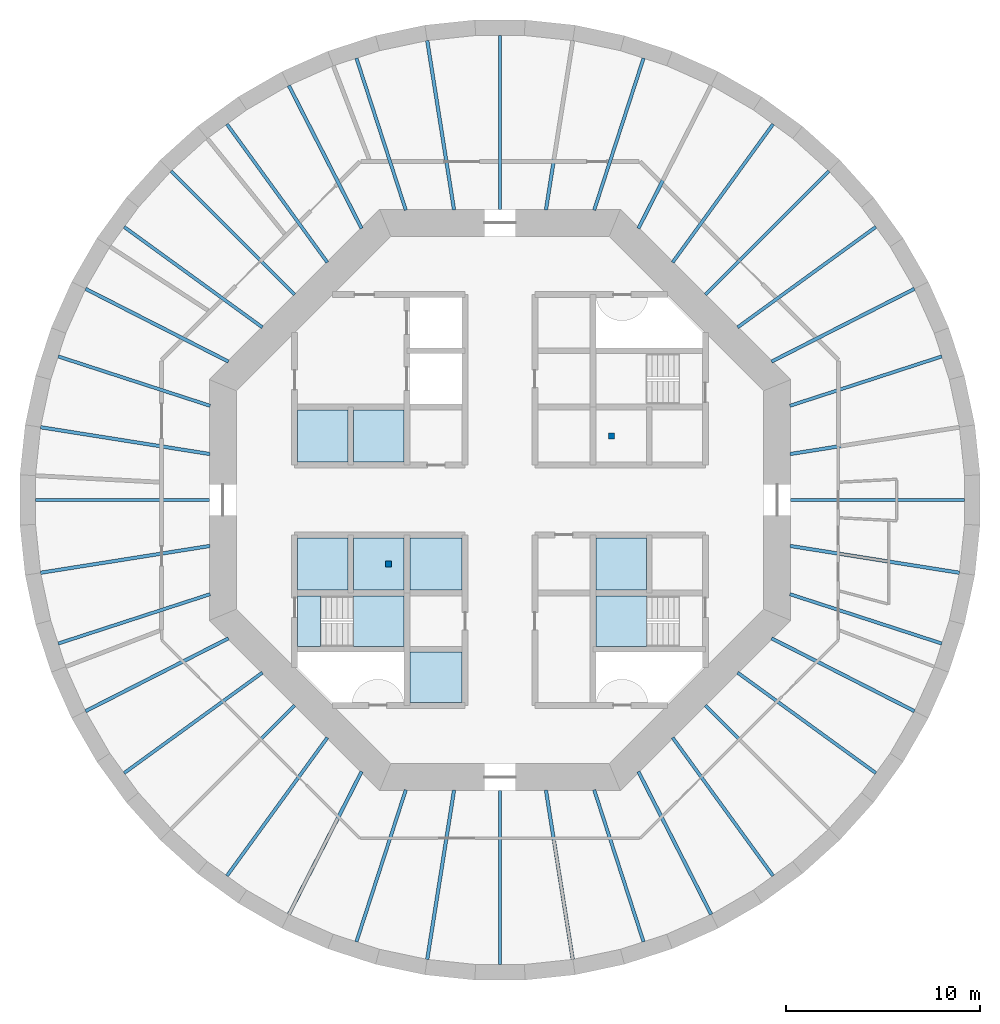
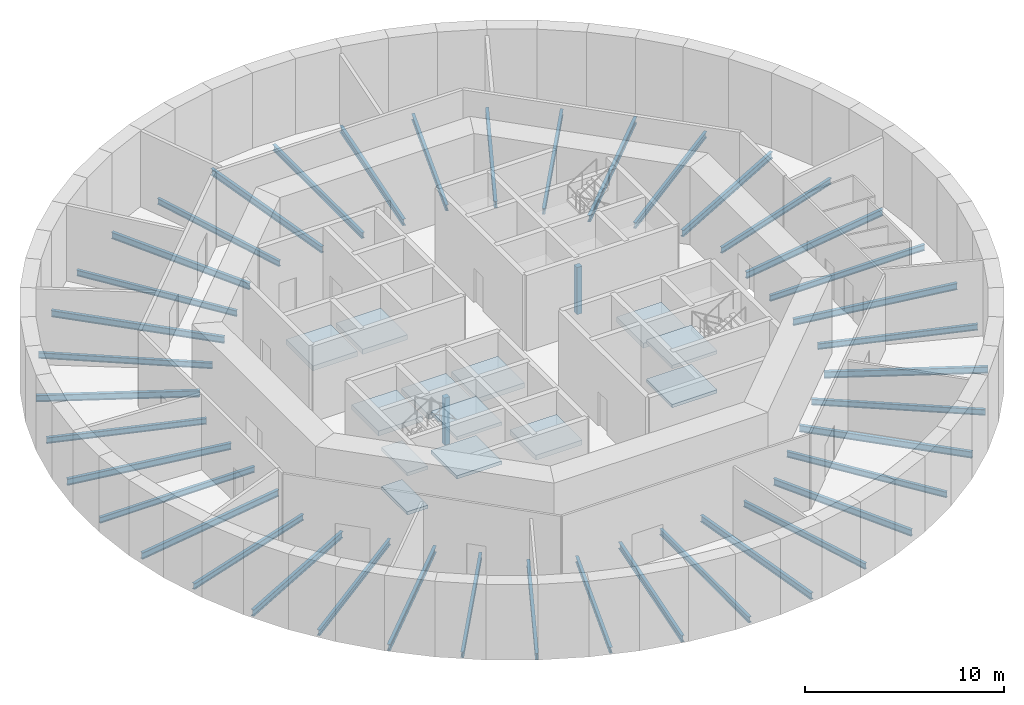
# One storey, part 1 of 7: 40 beams, 13 slabs, 2 columns, 2 elements without a shape of their own.
"""IFC4 building model written with IfcOpenShell, lengths in metres."""

from ifc_helpers import new_model, si_unit, direction, frame, origin, origin_2d, place, context, subcontext, project, spatial, polyline, rectangle, i_section, outline, extrude, material, layer, layer_set, material_profile, profile_set, type_object, element, aggregate, save


model = new_model("IFC4")

# Units and contexts
model_context = context("Model", 3, precision=1e-05, world=origin(), true_north=direction((0.0, 1.0)))
body_context = subcontext(model_context, "Body", "Model", "MODEL_VIEW")
ifc_project = project(units=[si_unit("LENGTHUNIT", "METRE"), si_unit("AREAUNIT", "SQUARE_METRE"), si_unit("VOLUMEUNIT", "CUBIC_METRE"), si_unit("PLANEANGLEUNIT", "RADIAN"), si_unit("MASSUNIT", "GRAM", prefix="KILO")], contexts=[model_context])

# Site, building, storey
site_placement = place(None, origin())
site = spatial("IfcSite", under=ifc_project, at=site_placement, CompositionType="ELEMENT")
building_placement = place(site_placement, origin())
building = spatial("IfcBuilding", under=site, at=building_placement, Name="Entoto Ring Tower", CompositionType="ELEMENT")
storey_placement = place(building_placement, frame((0.0, 0.0, -4.800048828125)))
storey = spatial("IfcBuildingStorey", under=building, at=storey_placement, Name="B1", CompositionType="ELEMENT", Elevation=-4.800048828125)

# Columns
ifc_material_1 = material(Name="Concrete C40/50", Category="concrete")
ifc_material_profile_1 = material_profile(ifc_material_1, rectangle(XDim=0.300048828125, YDim=0.300048828125, at=origin_2d()), Name="Lift pit pier 300 x 300 reinforced concrete C40/50")
ifc_profile_set_1 = profile_set([ifc_material_profile_1], Name="Concrete C40/50")
column_type = type_object("IfcColumnType", Name="Lift pit pier 300 x 300 reinforced concrete C40/50", PredefinedType="COLUMN", material=ifc_profile_set_1)
for number, where, z_axis, x_axis, name in (
    (1, (95.75, 83.300048828125, 0.0), (0.0, 0.0, 1.0), (1.0, 0.0, 0.0), "PIT PIER LB1-LR"),
    (2, (84.25, 76.699951171875, 0.0), (0.0, 0.0, 1.0), (1.0, 0.0, 0.0), "PIT PIER LB6-LR"),
):
    element("IfcColumn", number, at=place(storey_placement, frame(where, z_axis=z_axis, x_axis=x_axis)), inside=storey, type_object=column_type, Name=name, PredefinedType="COLUMN", context=body_context, shape_type="SweptSolid", body=[
        extrude(rectangle(XDim=0.300048828125, YDim=0.300048828125, at=origin_2d()), origin(), (0.0, 0.0, 1.0), 2.900146484375),
    ])

# Beams
ifc_material_2 = material(Name="Steel S355", Category="steel")
ifc_material_profile_2 = material_profile(ifc_material_2, i_section(OverallWidth=0.179931640625, OverallDepth=0.39990234375, WebThickness=0.008544921875, FlangeThickness=0.013427734375, FilletRadius=0.02099609375, at=origin_2d()), Name="IPE 400")
ifc_profile_set_2 = profile_set([ifc_material_profile_2], Name="Steel S355")
beam_type_1 = type_object("IfcBeamType", Name="Primary floor beam IPE 400", PredefinedType="BEAM", material=ifc_profile_set_2)
beam_1_placement = place(storey_placement, frame((104.966064453125, 82.370361328125, -0.349853515625), z_axis=(0.987688571989, 0.156433004068, 0.0), x_axis=(-0.156433004068, 0.987688571989, 0.0)))
element("IfcBeam", 3, at=beam_1_placement, inside=storey, type_object=beam_type_1, Name="Primary B1 R01", PredefinedType="BEAM", context=body_context, shape_type="SweptSolid", body=[
    extrude(i_section(OverallWidth=0.179931640625, OverallDepth=0.39990234375, WebThickness=0.008544921875, FlangeThickness=0.013427734375, FilletRadius=0.02099609375, at=origin_2d()), origin(), (0.0, 0.0, 1.0), 8.847412109375),
])
beam_2_placement = place(storey_placement, frame((104.009033203125, 87.137939453125, -0.349853515625), z_axis=(0.891009558245, 0.45398454502, 0.0), x_axis=(-0.45398454502, 0.891009558245, 0.0)))
element("IfcBeam", 4, at=beam_2_placement, inside=storey, type_object=beam_type_1, Name="Primary B1 R02", PredefinedType="BEAM", context=body_context, shape_type="SweptSolid", body=[
    extrude(i_section(OverallWidth=0.179931640625, OverallDepth=0.39990234375, WebThickness=0.008544921875, FlangeThickness=0.013427734375, FilletRadius=0.02099609375, at=origin_2d()), origin(), (0.0, 0.0, 1.0), 8.27734375),
])
beam_3_placement = place(storey_placement, frame((100.592529296875, 90.592529296875, -0.349853515625), z_axis=(0.707106781187, 0.707106781187, 0.0), x_axis=(-0.707106781187, 0.707106781187, 0.0)))
element("IfcBeam", 5, at=beam_3_placement, inside=storey, type_object=beam_type_1, Name="Primary B1 R03", PredefinedType="BEAM", context=body_context, shape_type="SweptSolid", body=[
    extrude(i_section(OverallWidth=0.179931640625, OverallDepth=0.39990234375, WebThickness=0.008544921875, FlangeThickness=0.013427734375, FilletRadius=0.02099609375, at=origin_2d()), origin(), (0.0, 0.0, 1.0), 9.019775390625),
])
beam_4_placement = place(storey_placement, frame((97.137939453125, 94.009033203125, -0.349853515625), z_axis=(0.45398454502, 0.891009558245, 0.0), x_axis=(-0.891009558245, 0.45398454502, 0.0)))
element("IfcBeam", 6, at=beam_4_placement, inside=storey, type_object=beam_type_1, Name="Primary B1 R04", PredefinedType="BEAM", context=body_context, shape_type="SweptSolid", body=[
    extrude(i_section(OverallWidth=0.179931640625, OverallDepth=0.39990234375, WebThickness=0.008544921875, FlangeThickness=0.013427734375, FilletRadius=0.02099609375, at=origin_2d()), origin(), (0.0, 0.0, 1.0), 8.27734375),
])
for number, where, z_axis, x_axis, name in (
    (7, (92.370361328125, 94.966064453125, -0.349853515625), (0.156433004068, 0.987688571989, 0.0), (-0.987688571989, 0.156433004068, 0.0), "Primary B1 R05"),
    (8, (87.629638671875, 94.966064453125, -0.349853515625), (-0.156433004068, 0.987688571989, 0.0), (-0.987688571989, -0.156433004068, 0.0), "Primary B1 R06"),
):
    element("IfcBeam", number, at=place(storey_placement, frame(where, z_axis=z_axis, x_axis=x_axis)), inside=storey, type_object=beam_type_1, Name=name, PredefinedType="BEAM", context=body_context, shape_type="SweptSolid", body=[
        extrude(i_section(OverallWidth=0.179931640625, OverallDepth=0.39990234375, WebThickness=0.008544921875, FlangeThickness=0.013427734375, FilletRadius=0.02099609375, at=origin_2d()), origin(), (0.0, 0.0, 1.0), 8.847412109375),
    ])
beam_5_placement = place(storey_placement, frame((82.862060546875, 94.009033203125, -0.349853515625), z_axis=(-0.45398454502, 0.891009558245, 0.0), x_axis=(-0.891009558245, -0.45398454502, 0.0)))
element("IfcBeam", 9, at=beam_5_placement, inside=storey, type_object=beam_type_1, Name="Primary B1 R07", PredefinedType="BEAM", context=body_context, shape_type="SweptSolid", body=[
    extrude(i_section(OverallWidth=0.179931640625, OverallDepth=0.39990234375, WebThickness=0.008544921875, FlangeThickness=0.013427734375, FilletRadius=0.02099609375, at=origin_2d()), origin(), (0.0, 0.0, 1.0), 8.27734375),
])
beam_6_placement = place(storey_placement, frame((79.407470703125, 90.592529296875, -0.349853515625), z_axis=(-0.707106781187, 0.707106781187, 0.0), x_axis=(-0.707106781187, -0.707106781187, 0.0)))
element("IfcBeam", 10, at=beam_6_placement, inside=storey, type_object=beam_type_1, Name="Primary B1 R08", PredefinedType="BEAM", context=body_context, shape_type="SweptSolid", body=[
    extrude(i_section(OverallWidth=0.179931640625, OverallDepth=0.39990234375, WebThickness=0.008544921875, FlangeThickness=0.013427734375, FilletRadius=0.02099609375, at=origin_2d()), origin(), (0.0, 0.0, 1.0), 9.019775390625),
])
beam_7_placement = place(storey_placement, frame((75.990966796875, 87.137939453125, -0.349853515625), z_axis=(-0.891009558245, 0.45398454502, 0.0), x_axis=(-0.45398454502, -0.891009558245, 0.0)))
element("IfcBeam", 11, at=beam_7_placement, inside=storey, type_object=beam_type_1, Name="Primary B1 R09", PredefinedType="BEAM", context=body_context, shape_type="SweptSolid", body=[
    extrude(i_section(OverallWidth=0.179931640625, OverallDepth=0.39990234375, WebThickness=0.008544921875, FlangeThickness=0.013427734375, FilletRadius=0.02099609375, at=origin_2d()), origin(), (0.0, 0.0, 1.0), 8.27734375),
])
for number, where, z_axis, x_axis, name in (
    (12, (75.033935546875, 82.370361328125, -0.349853515625), (-0.987688571989, 0.156433004068, 0.0), (-0.156433004068, -0.987688571989, 0.0), "Primary B1 R10"),
    (13, (75.033935546875, 77.629638671875, -0.349853515625), (-0.987688571989, -0.156433004068, 0.0), (0.156433004068, -0.987688571989, 0.0), "Primary B1 R11"),
):
    element("IfcBeam", number, at=place(storey_placement, frame(where, z_axis=z_axis, x_axis=x_axis)), inside=storey, type_object=beam_type_1, Name=name, PredefinedType="BEAM", context=body_context, shape_type="SweptSolid", body=[
        extrude(i_section(OverallWidth=0.179931640625, OverallDepth=0.39990234375, WebThickness=0.008544921875, FlangeThickness=0.013427734375, FilletRadius=0.02099609375, at=origin_2d()), origin(), (0.0, 0.0, 1.0), 8.847412109375),
    ])
beam_8_placement = place(storey_placement, frame((75.990966796875, 72.862060546875, -0.349853515625), z_axis=(-0.891009558245, -0.45398454502, 0.0), x_axis=(0.45398454502, -0.891009558245, 0.0)))
element("IfcBeam", 14, at=beam_8_placement, inside=storey, type_object=beam_type_1, Name="Primary B1 R12", PredefinedType="BEAM", context=body_context, shape_type="SweptSolid", body=[
    extrude(i_section(OverallWidth=0.179931640625, OverallDepth=0.39990234375, WebThickness=0.008544921875, FlangeThickness=0.013427734375, FilletRadius=0.02099609375, at=origin_2d()), origin(), (0.0, 0.0, 1.0), 8.27734375),
])
beam_9_placement = place(storey_placement, frame((79.407470703125, 69.407470703125, -0.349853515625), z_axis=(-0.707106781187, -0.707106781187, 0.0), x_axis=(0.707106781187, -0.707106781187, 0.0)))
element("IfcBeam", 15, at=beam_9_placement, inside=storey, type_object=beam_type_1, Name="Primary B1 R13", PredefinedType="BEAM", context=body_context, shape_type="SweptSolid", body=[
    extrude(i_section(OverallWidth=0.179931640625, OverallDepth=0.39990234375, WebThickness=0.008544921875, FlangeThickness=0.013427734375, FilletRadius=0.02099609375, at=origin_2d()), origin(), (0.0, 0.0, 1.0), 9.019775390625),
])
beam_10_placement = place(storey_placement, frame((82.862060546875, 65.990966796875, -0.349853515625), z_axis=(-0.45398454502, -0.891009558245, 0.0), x_axis=(0.891009558245, -0.45398454502, 0.0)))
element("IfcBeam", 16, at=beam_10_placement, inside=storey, type_object=beam_type_1, Name="Primary B1 R14", PredefinedType="BEAM", context=body_context, shape_type="SweptSolid", body=[
    extrude(i_section(OverallWidth=0.179931640625, OverallDepth=0.39990234375, WebThickness=0.008544921875, FlangeThickness=0.013427734375, FilletRadius=0.02099609375, at=origin_2d()), origin(), (0.0, 0.0, 1.0), 8.27734375),
])
for number, where, z_axis, x_axis, name in (
    (17, (87.629638671875, 65.033935546875, -0.349853515625), (-0.156433004068, -0.987688571989, 0.0), (0.987688571989, -0.156433004068, 0.0), "Primary B1 R15"),
    (18, (92.370361328125, 65.033935546875, -0.349853515625), (0.156433004068, -0.987688571989, 0.0), (0.987688571989, 0.156433004068, 0.0), "Primary B1 R16"),
):
    element("IfcBeam", number, at=place(storey_placement, frame(where, z_axis=z_axis, x_axis=x_axis)), inside=storey, type_object=beam_type_1, Name=name, PredefinedType="BEAM", context=body_context, shape_type="SweptSolid", body=[
        extrude(i_section(OverallWidth=0.179931640625, OverallDepth=0.39990234375, WebThickness=0.008544921875, FlangeThickness=0.013427734375, FilletRadius=0.02099609375, at=origin_2d()), origin(), (0.0, 0.0, 1.0), 8.847412109375),
    ])
beam_11_placement = place(storey_placement, frame((97.137939453125, 65.990966796875, -0.349853515625), z_axis=(0.45398454502, -0.891009558245, 0.0), x_axis=(0.891009558245, 0.45398454502, 0.0)))
element("IfcBeam", 19, at=beam_11_placement, inside=storey, type_object=beam_type_1, Name="Primary B1 R17", PredefinedType="BEAM", context=body_context, shape_type="SweptSolid", body=[
    extrude(i_section(OverallWidth=0.179931640625, OverallDepth=0.39990234375, WebThickness=0.008544921875, FlangeThickness=0.013427734375, FilletRadius=0.02099609375, at=origin_2d()), origin(), (0.0, 0.0, 1.0), 8.27734375),
])
beam_12_placement = place(storey_placement, frame((100.592529296875, 69.407470703125, -0.349853515625), z_axis=(0.707106781187, -0.707106781187, 0.0), x_axis=(0.707106781187, 0.707106781187, 0.0)))
element("IfcBeam", 20, at=beam_12_placement, inside=storey, type_object=beam_type_1, Name="Primary B1 R18", PredefinedType="BEAM", context=body_context, shape_type="SweptSolid", body=[
    extrude(i_section(OverallWidth=0.179931640625, OverallDepth=0.39990234375, WebThickness=0.008544921875, FlangeThickness=0.013427734375, FilletRadius=0.02099609375, at=origin_2d()), origin(), (0.0, 0.0, 1.0), 9.019775390625),
])
beam_13_placement = place(storey_placement, frame((104.009033203125, 72.862060546875, -0.349853515625), z_axis=(0.891009558245, -0.45398454502, 0.0), x_axis=(0.45398454502, 0.891009558245, 0.0)))
element("IfcBeam", 21, at=beam_13_placement, inside=storey, type_object=beam_type_1, Name="Primary B1 R19", PredefinedType="BEAM", context=body_context, shape_type="SweptSolid", body=[
    extrude(i_section(OverallWidth=0.179931640625, OverallDepth=0.39990234375, WebThickness=0.008544921875, FlangeThickness=0.013427734375, FilletRadius=0.02099609375, at=origin_2d()), origin(), (0.0, 0.0, 1.0), 8.27734375),
])
beam_14_placement = place(storey_placement, frame((104.966064453125, 77.629638671875, -0.349853515625), z_axis=(0.987688571989, -0.156433004068, 0.0), x_axis=(0.156433004068, 0.987688571989, 0.0)))
element("IfcBeam", 22, at=beam_14_placement, inside=storey, type_object=beam_type_1, Name="Primary B1 R20", PredefinedType="BEAM", context=body_context, shape_type="SweptSolid", body=[
    extrude(i_section(OverallWidth=0.179931640625, OverallDepth=0.39990234375, WebThickness=0.008544921875, FlangeThickness=0.013427734375, FilletRadius=0.02099609375, at=origin_2d()), origin(), (0.0, 0.0, 1.0), 8.847412109375),
])
ifc_material_3 = material(Name="Steel S355", Category="steel")
ifc_material_profile_3 = material_profile(ifc_material_3, i_section(OverallWidth=0.169921875, OverallDepth=0.360107421875, WebThickness=0.008056640625, FlangeThickness=0.0126953125, FilletRadius=0.01806640625, at=origin_2d()), Name="IPE 360")
ifc_profile_set_3 = profile_set([ifc_material_profile_3], Name="Steel S355")
beam_type_2 = type_object("IfcBeamType", Name="Secondary floor beam IPE 360", PredefinedType="JOIST", material=ifc_profile_set_3)
beam_15_placement = place(storey_placement, frame((104.954833984375, 84.859130859375, -0.329833984375), z_axis=(0.951058008676, 0.309012401262, 0.0), x_axis=(-0.309012401262, 0.951058008676, 0.0)))
element("IfcBeam", 23, at=beam_15_placement, inside=storey, type_object=beam_type_2, Name="Secondary beam B1 01", PredefinedType="JOIST", context=body_context, shape_type="SweptSolid", body=[
    extrude(i_section(OverallWidth=0.169921875, OverallDepth=0.360107421875, WebThickness=0.008056640625, FlangeThickness=0.0126953125, FilletRadius=0.01806640625, at=origin_2d()), origin(), (0.0, 0.0, 1.0), 8.24267578125),
])
for number, where, z_axis, x_axis, name in (
    (24, (102.259521484375, 88.906982421875, -0.329833984375), (0.809022277433, 0.587777980718, 0.0), (-0.587777980718, 0.809022277433, 0.0), "Secondary beam B1 02"),
    (25, (98.906982421875, 92.259521484375, -0.329833984375), (0.587777980718, 0.809022277433, 0.0), (-0.809022277433, 0.587777980718, 0.0), "Secondary beam B1 03"),
):
    element("IfcBeam", number, at=place(storey_placement, frame(where, z_axis=z_axis, x_axis=x_axis)), inside=storey, type_object=beam_type_2, Name=name, PredefinedType="JOIST", context=body_context, shape_type="SweptSolid", body=[
        extrude(i_section(OverallWidth=0.169921875, OverallDepth=0.360107421875, WebThickness=0.008056640625, FlangeThickness=0.0126953125, FilletRadius=0.01806640625, at=origin_2d()), origin(), (0.0, 0.0, 1.0), 8.8134765625),
    ])
beam_16_placement = place(storey_placement, frame((94.859130859375, 94.954833984375, -0.329833984375), z_axis=(0.309012401262, 0.951058008676, 0.0), x_axis=(-0.951058008676, 0.309012401262, 0.0)))
element("IfcBeam", 26, at=beam_16_placement, inside=storey, type_object=beam_type_2, Name="Secondary beam B1 04", PredefinedType="JOIST", context=body_context, shape_type="SweptSolid", body=[
    extrude(i_section(OverallWidth=0.169921875, OverallDepth=0.360107421875, WebThickness=0.008056640625, FlangeThickness=0.0126953125, FilletRadius=0.01806640625, at=origin_2d()), origin(), (0.0, 0.0, 1.0), 8.24267578125),
])
beam_17_placement = place(storey_placement, frame((90.0, 94.97998046875, -0.329833984375), z_axis=(0.0, 1.0, 0.0), x_axis=(-1.0, 0.0, 0.0)))
element("IfcBeam", 27, at=beam_17_placement, inside=storey, type_object=beam_type_2, Name="Secondary beam B1 05", PredefinedType="JOIST", context=body_context, shape_type="SweptSolid", body=[
    extrude(i_section(OverallWidth=0.169921875, OverallDepth=0.360107421875, WebThickness=0.008056640625, FlangeThickness=0.0126953125, FilletRadius=0.01806640625, at=origin_2d()), origin(), (0.0, 0.0, 1.0), 8.987060546875),
])
beam_18_placement = place(storey_placement, frame((85.140869140625, 94.954833984375, -0.329833984375), z_axis=(-0.309012401262, 0.951058008676, 0.0), x_axis=(-0.951058008676, -0.309012401262, 0.0)))
element("IfcBeam", 28, at=beam_18_placement, inside=storey, type_object=beam_type_2, Name="Secondary beam B1 06", PredefinedType="JOIST", context=body_context, shape_type="SweptSolid", body=[
    extrude(i_section(OverallWidth=0.169921875, OverallDepth=0.360107421875, WebThickness=0.008056640625, FlangeThickness=0.0126953125, FilletRadius=0.01806640625, at=origin_2d()), origin(), (0.0, 0.0, 1.0), 8.24267578125),
])
for number, where, z_axis, x_axis, name in (
    (29, (81.093017578125, 92.259521484375, -0.329833984375), (-0.587777980718, 0.809022277433, 0.0), (-0.809022277433, -0.587777980718, 0.0), "Secondary beam B1 07"),
    (30, (77.740478515625, 88.906982421875, -0.329833984375), (-0.809022277433, 0.587777980718, 0.0), (-0.587777980718, -0.809022277433, 0.0), "Secondary beam B1 08"),
):
    element("IfcBeam", number, at=place(storey_placement, frame(where, z_axis=z_axis, x_axis=x_axis)), inside=storey, type_object=beam_type_2, Name=name, PredefinedType="JOIST", context=body_context, shape_type="SweptSolid", body=[
        extrude(i_section(OverallWidth=0.169921875, OverallDepth=0.360107421875, WebThickness=0.008056640625, FlangeThickness=0.0126953125, FilletRadius=0.01806640625, at=origin_2d()), origin(), (0.0, 0.0, 1.0), 8.8134765625),
    ])
beam_19_placement = place(storey_placement, frame((75.045166015625, 84.859130859375, -0.329833984375), z_axis=(-0.951058008676, 0.309012401262, 0.0), x_axis=(-0.309012401262, -0.951058008676, 0.0)))
element("IfcBeam", 31, at=beam_19_placement, inside=storey, type_object=beam_type_2, Name="Secondary beam B1 09", PredefinedType="JOIST", context=body_context, shape_type="SweptSolid", body=[
    extrude(i_section(OverallWidth=0.169921875, OverallDepth=0.360107421875, WebThickness=0.008056640625, FlangeThickness=0.0126953125, FilletRadius=0.01806640625, at=origin_2d()), origin(), (0.0, 0.0, 1.0), 8.24267578125),
])
beam_20_placement = place(storey_placement, frame((75.02001953125, 80.0, -0.329833984375), z_axis=(-1.0, 0.0, 0.0), x_axis=(0.0, -1.0, 0.0)))
element("IfcBeam", 32, at=beam_20_placement, inside=storey, type_object=beam_type_2, Name="Secondary beam B1 10", PredefinedType="JOIST", context=body_context, shape_type="SweptSolid", body=[
    extrude(i_section(OverallWidth=0.169921875, OverallDepth=0.360107421875, WebThickness=0.008056640625, FlangeThickness=0.0126953125, FilletRadius=0.01806640625, at=origin_2d()), origin(), (0.0, 0.0, 1.0), 8.987060546875),
])
beam_21_placement = place(storey_placement, frame((75.045166015625, 75.140869140625, -0.329833984375), z_axis=(-0.951058008676, -0.309012401262, 0.0), x_axis=(0.309012401262, -0.951058008676, 0.0)))
element("IfcBeam", 33, at=beam_21_placement, inside=storey, type_object=beam_type_2, Name="Secondary beam B1 11", PredefinedType="JOIST", context=body_context, shape_type="SweptSolid", body=[
    extrude(i_section(OverallWidth=0.169921875, OverallDepth=0.360107421875, WebThickness=0.008056640625, FlangeThickness=0.0126953125, FilletRadius=0.01806640625, at=origin_2d()), origin(), (0.0, 0.0, 1.0), 8.24267578125),
])
for number, where, z_axis, x_axis, name in (
    (34, (77.740478515625, 71.093017578125, -0.329833984375), (-0.809022277433, -0.587777980718, 0.0), (0.587777980718, -0.809022277433, 0.0), "Secondary beam B1 12"),
    (35, (81.093017578125, 67.740478515625, -0.329833984375), (-0.587777980718, -0.809022277433, 0.0), (0.809022277433, -0.587777980718, 0.0), "Secondary beam B1 13"),
):
    element("IfcBeam", number, at=place(storey_placement, frame(where, z_axis=z_axis, x_axis=x_axis)), inside=storey, type_object=beam_type_2, Name=name, PredefinedType="JOIST", context=body_context, shape_type="SweptSolid", body=[
        extrude(i_section(OverallWidth=0.169921875, OverallDepth=0.360107421875, WebThickness=0.008056640625, FlangeThickness=0.0126953125, FilletRadius=0.01806640625, at=origin_2d()), origin(), (0.0, 0.0, 1.0), 8.8134765625),
    ])
beam_22_placement = place(storey_placement, frame((85.140869140625, 65.045166015625, -0.329833984375), z_axis=(-0.309012401262, -0.951058008676, 0.0), x_axis=(0.951058008676, -0.309012401262, 0.0)))
element("IfcBeam", 36, at=beam_22_placement, inside=storey, type_object=beam_type_2, Name="Secondary beam B1 14", PredefinedType="JOIST", context=body_context, shape_type="SweptSolid", body=[
    extrude(i_section(OverallWidth=0.169921875, OverallDepth=0.360107421875, WebThickness=0.008056640625, FlangeThickness=0.0126953125, FilletRadius=0.01806640625, at=origin_2d()), origin(), (0.0, 0.0, 1.0), 8.24267578125),
])
beam_23_placement = place(storey_placement, frame((90.0, 65.02001953125, -0.329833984375), z_axis=(0.0, -1.0, 0.0), x_axis=(1.0, 0.0, 0.0)))
element("IfcBeam", 37, at=beam_23_placement, inside=storey, type_object=beam_type_2, Name="Secondary beam B1 15", PredefinedType="JOIST", context=body_context, shape_type="SweptSolid", body=[
    extrude(i_section(OverallWidth=0.169921875, OverallDepth=0.360107421875, WebThickness=0.008056640625, FlangeThickness=0.0126953125, FilletRadius=0.01806640625, at=origin_2d()), origin(), (0.0, 0.0, 1.0), 8.987060546875),
])
beam_24_placement = place(storey_placement, frame((94.859130859375, 65.045166015625, -0.329833984375), z_axis=(0.309012401262, -0.951058008676, 0.0), x_axis=(0.951058008676, 0.309012401262, 0.0)))
element("IfcBeam", 38, at=beam_24_placement, inside=storey, type_object=beam_type_2, Name="Secondary beam B1 16", PredefinedType="JOIST", context=body_context, shape_type="SweptSolid", body=[
    extrude(i_section(OverallWidth=0.169921875, OverallDepth=0.360107421875, WebThickness=0.008056640625, FlangeThickness=0.0126953125, FilletRadius=0.01806640625, at=origin_2d()), origin(), (0.0, 0.0, 1.0), 8.24267578125),
])
for number, where, z_axis, x_axis, name in (
    (39, (98.906982421875, 67.740478515625, -0.329833984375), (0.587777980718, -0.809022277433, 0.0), (0.809022277433, 0.587777980718, 0.0), "Secondary beam B1 17"),
    (40, (102.259521484375, 71.093017578125, -0.329833984375), (0.809022277433, -0.587777980718, 0.0), (0.587777980718, 0.809022277433, 0.0), "Secondary beam B1 18"),
):
    element("IfcBeam", number, at=place(storey_placement, frame(where, z_axis=z_axis, x_axis=x_axis)), inside=storey, type_object=beam_type_2, Name=name, PredefinedType="JOIST", context=body_context, shape_type="SweptSolid", body=[
        extrude(i_section(OverallWidth=0.169921875, OverallDepth=0.360107421875, WebThickness=0.008056640625, FlangeThickness=0.0126953125, FilletRadius=0.01806640625, at=origin_2d()), origin(), (0.0, 0.0, 1.0), 8.8134765625),
    ])
beam_25_placement = place(storey_placement, frame((104.954833984375, 75.140869140625, -0.329833984375), z_axis=(0.951058008676, -0.309012401262, 0.0), x_axis=(0.309012401262, 0.951058008676, 0.0)))
element("IfcBeam", 41, at=beam_25_placement, inside=storey, type_object=beam_type_2, Name="Secondary beam B1 19", PredefinedType="JOIST", context=body_context, shape_type="SweptSolid", body=[
    extrude(i_section(OverallWidth=0.169921875, OverallDepth=0.360107421875, WebThickness=0.008056640625, FlangeThickness=0.0126953125, FilletRadius=0.01806640625, at=origin_2d()), origin(), (0.0, 0.0, 1.0), 8.24267578125),
])
beam_26_placement = place(storey_placement, frame((104.97998046875, 80.0, -0.329833984375), z_axis=(1.0, 0.0, 0.0), x_axis=(0.0, 1.0, 0.0)))
element("IfcBeam", 42, at=beam_26_placement, inside=storey, type_object=beam_type_2, Name="Secondary beam B1 20", PredefinedType="JOIST", context=body_context, shape_type="SweptSolid", body=[
    extrude(i_section(OverallWidth=0.169921875, OverallDepth=0.360107421875, WebThickness=0.008056640625, FlangeThickness=0.0126953125, FilletRadius=0.01806640625, at=origin_2d()), origin(), (0.0, 0.0, 1.0), 8.987060546875),
])

# Slabs
ifc_material_4 = material(Name="Concrete C40/50", Category="concrete")
ifc_layer_1 = layer(ifc_material_4, 0.300048828125)
ifc_layer_set_1 = layer_set([ifc_layer_1], Name="Concrete C40/50")
slab_type_1 = type_object("IfcSlabType", Name="Lift pit floor 300 mm reinforced concrete", PredefinedType="FLOOR", material=ifc_layer_set_1)
slab_1_placement = place(storey_placement, frame((0.0, 0.0, 2.900146484375)))
element("IfcSlab", 43, at=slab_1_placement, inside=storey, type_object=slab_type_1, Name="Pit floor LB3-LR", PredefinedType="FLOOR", context=body_context, shape_type="SweptSolid", body=[
    extrude(outline(polyline([(85.050048828125, 81.949951171875), (85.050048828125, 84.64990234375), (82.449951171875, 84.64990234375), (82.449951171875, 81.949951171875), (85.050048828125, 81.949951171875)])), origin(), (0.0, 0.0, 1.0), 0.2998046875),
])
slab_2_placement = place(storey_placement, frame((0.0, 0.0, 2.900146484375)))
element("IfcSlab", 44, at=slab_2_placement, inside=storey, type_object=slab_type_1, Name="Pit floor LB4-LR", PredefinedType="FLOOR", context=body_context, shape_type="SweptSolid", body=[
    extrude(outline(polyline([(97.550048828125, 75.35009765625), (97.550048828125, 78.050048828125), (94.949951171875, 78.050048828125), (94.949951171875, 75.35009765625), (97.550048828125, 75.35009765625)])), origin(), (0.0, 0.0, 1.0), 0.2998046875),
])
slab_3_placement = place(storey_placement, frame((0.0, 0.0, 2.900146484375)))
element("IfcSlab", 45, at=slab_3_placement, inside=storey, type_object=slab_type_1, Name="Pit floor LB6-LR", PredefinedType="FLOOR", context=body_context, shape_type="SweptSolid", body=[
    extrude(outline(polyline([(85.050048828125, 75.35009765625), (85.050048828125, 78.050048828125), (82.449951171875, 78.050048828125), (82.449951171875, 75.35009765625), (85.050048828125, 75.35009765625)])), origin(), (0.0, 0.0, 1.0), 0.2998046875),
])
slab_4_placement = place(storey_placement, frame((0.0, 0.0, 2.900146484375)))
element("IfcSlab", 46, at=slab_4_placement, inside=storey, type_object=slab_type_1, Name="Pit floor SH1", PredefinedType="FLOOR", context=body_context, shape_type="SweptSolid", body=[
    extrude(outline(polyline([(82.14990234375, 81.949951171875), (82.14990234375, 84.64990234375), (79.550048828125, 84.64990234375), (79.550048828125, 81.949951171875), (82.14990234375, 81.949951171875)])), origin(), (0.0, 0.0, 1.0), 0.2998046875),
])
slab_5_placement = place(storey_placement, frame((0.0, 0.0, 2.900146484375)))
element("IfcSlab", 47, at=slab_5_placement, inside=storey, type_object=slab_type_1, Name="Pit floor SH2", PredefinedType="FLOOR", context=body_context, shape_type="SweptSolid", body=[
    extrude(outline(polyline([(82.14990234375, 75.35009765625), (82.14990234375, 78.050048828125), (79.550048828125, 78.050048828125), (79.550048828125, 75.35009765625), (82.14990234375, 75.35009765625)])), origin(), (0.0, 0.0, 1.0), 0.2998046875),
])
slab_6_placement = place(storey_placement, frame((0.0, 0.0, 2.900146484375)))
element("IfcSlab", 48, at=slab_6_placement, inside=storey, type_object=slab_type_1, Name="Pit floor SH4", PredefinedType="FLOOR", context=body_context, shape_type="SweptSolid", body=[
    extrude(outline(polyline([(88.050048828125, 69.550048828125), (88.050048828125, 72.14990234375), (85.35009765625, 72.14990234375), (85.35009765625, 69.550048828125), (88.050048828125, 69.550048828125)])), origin(), (0.0, 0.0, 1.0), 0.2998046875),
])
slab_7_placement = place(storey_placement, frame((0.0, 0.0, 2.900146484375)))
element("IfcSlab", 49, at=slab_7_placement, inside=storey, type_object=slab_type_1, Name="Pit floor OB2", PredefinedType="FLOOR", context=body_context, shape_type="SweptSolid", body=[
    extrude(outline(polyline([(88.050048828125, 75.35009765625), (88.050048828125, 78.050048828125), (85.35009765625, 78.050048828125), (85.35009765625, 75.35009765625), (88.050048828125, 75.35009765625)])), origin(), (0.0, 0.0, 1.0), 0.2998046875),
])

# Stair, slabs
ifc_material_5 = material(Name="Concrete C40/50", Category="concrete")
stair_type = type_object("IfcStairType", Name="Exit stair 1200 mm dog-leg reinforced concrete", PredefinedType="HALF_TURN_STAIR", material=ifc_material_5)
stair_1_placement = place(storey_placement, origin())
stair_1 = element("IfcStair", 50, at=stair_1_placement, inside=storey, type_object=stair_type, Name="Exit stair 2", PredefinedType="HALF_TURN_STAIR")
ifc_material_6 = material(Name="Concrete C40/50", Category="concrete")
ifc_layer_2 = layer(ifc_material_6, 0.199951171875)
ifc_layer_set_2 = layer_set([ifc_layer_2], Name="Concrete C40/50")
slab_type_2 = type_object("IfcSlabType", Name="Stair landing 200 mm reinforced concrete", PredefinedType="LANDING", material=ifc_layer_set_2)
slab_8_placement = place(storey_placement, frame((0.0, 0.0, -0.199951171875)))
slab_8 = element("IfcSlab", 51, at=slab_8_placement, type_object=slab_type_2, Name="ST2 landing 1", PredefinedType="LANDING", context=body_context, shape_type="SweptSolid", body=[
    extrude(outline(polyline([(80.75, 72.449951171875), (80.75, 75.050048828125), (79.550048828125, 75.050048828125), (79.550048828125, 72.449951171875), (80.75, 72.449951171875)])), origin(), (0.0, 0.0, 1.0), 0.199951171875),
])
slab_9_placement = place(storey_placement, frame((0.0, 0.0, 1.0)))
slab_9 = element("IfcSlab", 52, at=slab_9_placement, type_object=slab_type_2, Name="ST2 landing 2", PredefinedType="LANDING", context=body_context, shape_type="SweptSolid", body=[
    extrude(outline(polyline([(82.429931640625, 72.449951171875), (85.050048828125, 72.449951171875), (85.050048828125, 75.050048828125), (82.429931640625, 75.050048828125), (82.429931640625, 72.449951171875)])), origin(), (0.0, 0.0, 1.0), 0.199951171875),
])
slab_10_placement = place(storey_placement, frame((0.0, 0.0, 2.199951171875)))
slab_10 = element("IfcSlab", 53, at=slab_10_placement, type_object=slab_type_2, Name="ST2 landing 3", PredefinedType="LANDING", context=body_context, shape_type="SweptSolid", body=[
    extrude(outline(polyline([(79.550048828125, 72.449951171875), (80.75, 72.449951171875), (80.75, 75.050048828125), (79.550048828125, 75.050048828125), (79.550048828125, 72.449951171875)])), origin(), (0.0, 0.0, 1.0), 0.2001953125),
])
slab_11_placement = place(storey_placement, frame((0.0, 0.0, 3.400146484375)))
slab_11 = element("IfcSlab", 54, at=slab_11_placement, type_object=slab_type_2, Name="ST2 landing 4", PredefinedType="LANDING", context=body_context, shape_type="SweptSolid", body=[
    extrude(outline(polyline([(82.429931640625, 72.449951171875), (85.050048828125, 72.449951171875), (85.050048828125, 75.050048828125), (82.429931640625, 75.050048828125), (82.429931640625, 72.449951171875)])), origin(), (0.0, 0.0, 1.0), 0.199951171875),
])
aggregate(stair_1, [slab_8, slab_9, slab_10, slab_11])

stair_2_placement = place(storey_placement, origin())
stair_2 = element("IfcStair", 55, at=stair_2_placement, inside=storey, type_object=stair_type, Name="Exit stair 3", PredefinedType="HALF_TURN_STAIR")
slab_12_placement = place(storey_placement, frame((0.0, 0.0, 1.0)))
slab_12 = element("IfcSlab", 56, at=slab_12_placement, type_object=slab_type_2, Name="ST3 landing 2", PredefinedType="LANDING", context=body_context, shape_type="SweptSolid", body=[
    extrude(outline(polyline([(94.949951171875, 72.449951171875), (97.570068359375, 72.449951171875), (97.570068359375, 75.050048828125), (94.949951171875, 75.050048828125), (94.949951171875, 72.449951171875)])), origin(), (0.0, 0.0, 1.0), 0.199951171875),
])
slab_13_placement = place(storey_placement, frame((0.0, 0.0, 3.400146484375)))
slab_13 = element("IfcSlab", 57, at=slab_13_placement, type_object=slab_type_2, Name="ST3 landing 4", PredefinedType="LANDING", context=body_context, shape_type="SweptSolid", body=[
    extrude(outline(polyline([(94.949951171875, 72.449951171875), (97.570068359375, 72.449951171875), (97.570068359375, 75.050048828125), (94.949951171875, 75.050048828125), (94.949951171875, 72.449951171875)])), origin(), (0.0, 0.0, 1.0), 0.199951171875),
])
aggregate(stair_2, [slab_12, slab_13])

save(model, "model.ifc")
